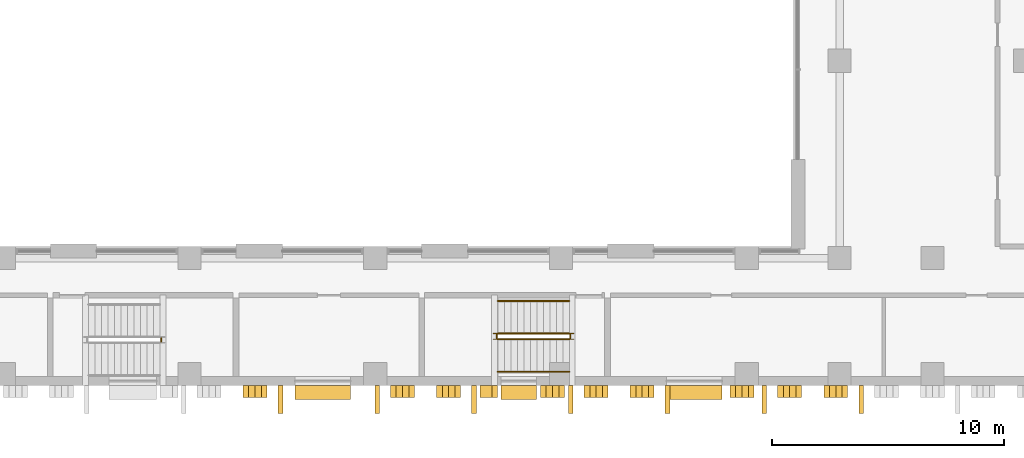
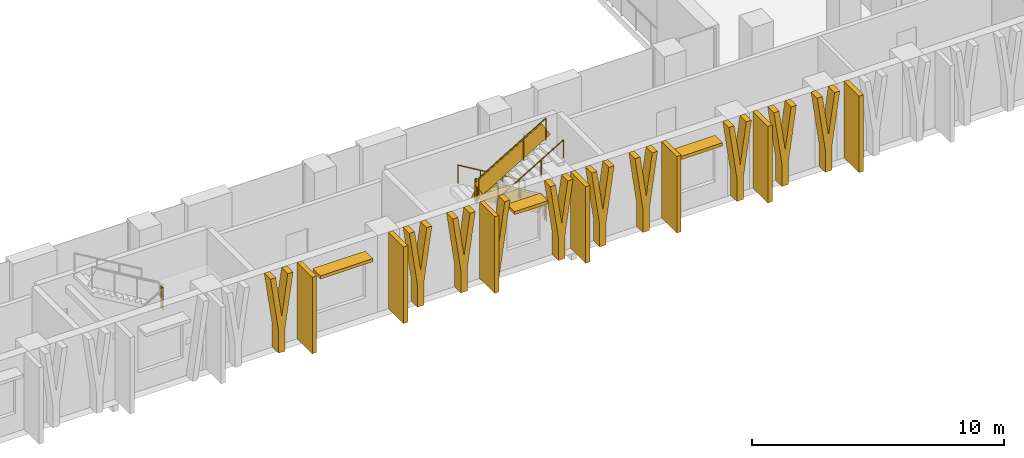
# One storey, part 19 of 24: 20 shading devices, 7 railings.
"""IFC4 building model written with IfcOpenShell, lengths in metres."""

from ifc_helpers import new_model, si_unit, direction, frame, frame_2d, origin, origin_2d, place, context, subcontext, project, spatial, polyline, rectangle, circle, outline, extrude, material, layer, layer_set, type_object, element, save


model = new_model("IFC4")

# Units and contexts
model_context = context("Model", 3, precision=1e-05, world=origin(), true_north=direction((0.0, 1.0)))
body_context = subcontext(model_context, "Body", "Model", "MODEL_VIEW")
ifc_project = project(units=[si_unit("LENGTHUNIT", "METRE"), si_unit("AREAUNIT", "SQUARE_METRE"), si_unit("VOLUMEUNIT", "CUBIC_METRE"), si_unit("PLANEANGLEUNIT", "RADIAN"), si_unit("MASSUNIT", "GRAM", prefix="KILO")], contexts=[model_context])

# Site, building, storey
site_placement = place(None, origin())
site = spatial("IfcSite", under=ifc_project, at=site_placement, CompositionType="ELEMENT")
building_placement = place(site_placement, origin())
building = spatial("IfcBuilding", under=site, at=building_placement, Name="Vidyagriha Tower", CompositionType="ELEMENT")
storey_placement = place(building_placement, frame((0.0, 0.0, 22.0)))
storey = spatial("IfcBuildingStorey", under=building, at=storey_placement, Name="L05", CompositionType="ELEMENT", Elevation=22.0)

# Shading devices
ifc_material_1 = material(Name="Precast concrete C40/50 with brick facing", Category="concrete")
ifc_layer_1 = layer(ifc_material_1, 0.14990234375)
ifc_layer_set_1 = layer_set([ifc_layer_1], Name="Precast concrete C40/50 with brick facing")
shading_device_type_1 = type_object("IfcShadingDeviceType", Name="Brick chhajja window hood", PredefinedType="AWNING", material=ifc_layer_set_1)
shading_device_1_placement = place(storey_placement, frame((-0.264892578125, -50.300048828125, 3.0)))
element("IfcShadingDevice", 1, at=shading_device_1_placement, inside=storey, type_object=shading_device_type_1, Name="Window hood L05 R06.20", PredefinedType="AWNING", context=body_context, shape_type="SweptSolid", body=[
    extrude(rectangle(XDim=2.39990234375, YDim=0.60009765625, at=origin_2d()), origin(), (0.0, 0.0, 1.0), 0.14990234375),
])
shading_device_2_placement = place(storey_placement, frame((8.175048828125, -50.300048828125, 3.0)))
element("IfcShadingDevice", 2, at=shading_device_2_placement, inside=storey, type_object=shading_device_type_1, Name="Window hood L05 R06.24", PredefinedType="AWNING", context=body_context, shape_type="SweptSolid", body=[
    extrude(rectangle(XDim=1.52001953125, YDim=0.60009765625, at=origin_2d()), origin(), (0.0, 0.0, 1.0), 0.14990234375),
])
shading_device_3_placement = place(storey_placement, frame((15.735107421875, -50.300048828125, 3.0)))
element("IfcShadingDevice", 3, at=shading_device_3_placement, inside=storey, type_object=shading_device_type_1, Name="Window hood L05 R06.28", PredefinedType="AWNING", context=body_context, shape_type="SweptSolid", body=[
    extrude(rectangle(XDim=2.39990234375, YDim=0.60009765625, at=origin_2d()), origin(), (0.0, 0.0, 1.0), 0.14990234375),
])
ifc_material_2 = material(Name="Precast concrete C40/50 with buff brick facing", Category="concrete")
ifc_layer_2 = layer(ifc_material_2, 0.300048828125)
ifc_layer_set_2 = layer_set([ifc_layer_2], Name="Precast concrete C40/50 with buff brick facing")
shading_device_type_2 = type_object("IfcShadingDeviceType", Name="Brick-faced podium blade forking 8 degrees", PredefinedType="USERDEFINED", material=ifc_layer_set_2)
for number, where, name in (
    (4, (-3.691650390625, -50.25, 0.0), "Podium blade L05 R06.3642"),
    (5, (2.660888671875, -50.25, 0.0), "Podium blade L05 R06.4278"),
    (6, (4.64501953125, -50.25, 0.0), "Podium blade L05 R06.4476"),
    (7, (9.112548828125, -50.25, 0.0), "Podium blade L05 R06.4923"),
    (8, (10.997802734375, -50.25, 0.0), "Podium blade L05 R06.5111"),
    (9, (12.98193359375, -50.25, 0.0), "Podium blade L05 R06.5310"),
    (10, (17.281005859375, -50.25, 0.0), "Podium blade L05 R06.5740"),
    (11, (19.334716796875, -50.25, 0.0), "Podium blade L05 R06.5945"),
    (12, (21.31884765625, -50.25, 0.0), "Podium blade L05 R06.6143"),
):
    element("IfcShadingDevice", number, at=place(storey_placement, frame(where)), inside=storey, type_object=shading_device_type_2, Name=name, ObjectType="BLADE FIN", PredefinedType="USERDEFINED", context=body_context, shape_type="SweptSolid", body=[
        extrude(outline(polyline([(0.665283203125, 0.0), (0.665283203125, 1.10009765625), (1.03076171875, 3.699951171875), (0.790771484375, 3.699951171875), (0.515380859375, 1.740478515625), (0.239990234375, 3.699951171875), (0.0, 3.699951171875), (0.365478515625, 1.10009765625), (0.365478515625, 0.0), (0.665283203125, 0.0)])), frame((0.0, 0.25, 0.0), z_axis=(0.0, -1.0, 0.0), x_axis=(1.0, 0.0, 0.0)), (0.0, 0.0, 1.0), 0.5),
    ])
ifc_material_3 = material(Name="Precast concrete C40/50 with buff brick facing", Category="concrete")
ifc_layer_3 = layer(ifc_material_3, 0.239990234375)
ifc_layer_set_3 = layer_set([ifc_layer_3], Name="Precast concrete C40/50 with buff brick facing")
shading_device_type_3 = type_object("IfcShadingDeviceType", Name="Brick-faced podium blade leaning 8 degrees", PredefinedType="USERDEFINED", material=ifc_layer_set_3)
shading_device_4_placement = place(storey_placement, frame((6.50390625, -50.25, 0.0)))
element("IfcShadingDevice", 13, at=shading_device_4_placement, inside=storey, type_object=shading_device_type_3, Name="Podium blade L05 R06.4648", ObjectType="BLADE FIN", PredefinedType="USERDEFINED", context=body_context, shape_type="SweptSolid", body=[
    extrude(outline(polyline([(0.0, 0.0), (0.239990234375, 0.0), (0.760009765625, 3.699951171875), (0.52001953125, 3.699951171875), (0.0, 0.0)])), frame((0.0, 0.25, 0.0), z_axis=(0.0, -1.0, 0.0), x_axis=(1.0, 0.0, 0.0)), (0.0, 0.0, 1.0), 0.5),
])
ifc_material_4 = material(Name="Precast concrete C40/50 with brick facing", Category="concrete")
ifc_layer_4 = layer(ifc_material_4, 0.199951171875)
ifc_layer_set_4 = layer_set([ifc_layer_4], Name="Precast concrete C40/50 with brick facing")
shading_device_type_4 = type_object("IfcShadingDeviceType", Name="Brick-faced solar fin 1200", PredefinedType="USERDEFINED", material=ifc_layer_set_4)
for number, where, z_axis, x_axis, name in (
    (14, (-2.084228515625, -50.0, 0.0), (0.0, 0.0, 1.0), (0.0, -1.0, 0.0), "Solar fin L05 R06.9"),
    (15, (2.084228515625, -50.0, 0.0), (0.0, 0.0, 1.0), (0.0, -1.0, 0.0), "Solar fin L05 R06.10"),
    (16, (6.252685546875, -50.0, 0.0), (0.0, 0.0, 1.0), (0.0, -1.0, 0.0), "Solar fin L05 R06.11"),
    (17, (10.421142578125, -50.0, 0.0), (0.0, 0.0, 1.0), (0.0, -1.0, 0.0), "Solar fin L05 R06.12"),
    (18, (14.589599609375, -50.0, 0.0), (0.0, 0.0, 1.0), (0.0, -1.0, 0.0), "Solar fin L05 R06.13"),
    (19, (18.7578125, -50.0, 0.0), (0.0, 0.0, 1.0), (0.0, -1.0, 0.0), "Solar fin L05 R06.14"),
    (20, (22.92626953125, -50.0, 0.0), (0.0, 0.0, 1.0), (0.0, -1.0, 0.0), "Solar fin L05 R06.15"),
):
    element("IfcShadingDevice", number, at=place(storey_placement, frame(where, z_axis=z_axis, x_axis=x_axis)), inside=storey, type_object=shading_device_type_4, Name=name, ObjectType="SOLAR FIN", PredefinedType="USERDEFINED", context=body_context, shape_type="SweptSolid", body=[
        extrude(rectangle(XDim=1.199951171875, YDim=0.199951171875, at=frame_2d((0.60009765625, 0.0))), origin(), (0.0, 0.0, 1.0), 3.699951171875),
    ])

# Railings
ifc_material_5 = material(Name="Powder coated ASTM A500 Grade C steel balustrade", Category="steel")
railing_type_1 = type_object("IfcRailingType", Name="Podium Stair Guard 1100", PredefinedType="GUARDRAIL", material=ifc_material_5)
railing_1_placement = place(storey_placement, frame((-7.22509765625, -48.10009765625, 2.0)))
element("IfcRailing", 21, at=railing_1_placement, inside=storey, type_object=railing_type_1, Name="L05 PS3 stair guard 2", PredefinedType="GUARDRAIL", context=body_context, shape_type="SweptSolid", body=[
    extrude(circle(Radius=0.02392578125, at=origin_2d()), frame((0.0, 0.0, 1.076171875), z_axis=(0.0, 1.0, 0.0), x_axis=(-1.0, 0.0, 0.0)), (0.0, 0.0, 1.0), 0.150146484375),
    extrude(circle(Radius=0.02099609375, at=origin_2d()), origin(), (0.0, 0.0, 1.0), 1.052001953125),
    extrude(circle(Radius=0.02099609375, at=origin_2d()), frame((0.0, 0.150146484375, 0.0)), (0.0, 0.0, 1.0), 1.052001953125),
    extrude(rectangle(XDim=0.010009765625, YDim=0.902099609375, at=origin_2d()), frame((0.0, 0.0, 0.551025390625), z_axis=(0.0, 1.0, 0.0), x_axis=(-1.0, 0.0, 0.0)), (0.0, 0.0, 1.0), 0.150146484375),
])
railing_2_placement = place(storey_placement, frame((10.35498046875, -47.75, 0.166748046875)))
element("IfcRailing", 22, at=railing_2_placement, inside=storey, type_object=railing_type_1, Name="L05 PS4 stair guard 1", PredefinedType="GUARDRAIL", context=body_context, shape_type="SweptSolid", body=[
    extrude(circle(Radius=0.02392578125, at=origin_2d()), frame((0.0, 0.0, 1.076171875), z_axis=(-0.859308565015, 0.0, 0.511457515432), x_axis=(0.0, -1.0, 0.0)), (0.0, 0.0, 1.0), 3.58447265625),
    extrude(circle(Radius=0.02099609375, at=origin_2d()), origin(), (0.0, 0.0, 1.0), 1.052001953125),
    extrude(circle(Radius=0.02099609375, at=origin_2d()), frame((-1.026611328125, 0.0, 0.611083984375)), (0.0, 0.0, 1.0), 1.052001953125),
    extrude(circle(Radius=0.02099609375, at=origin_2d()), frame((-2.053466796875, 0.0, 1.22216796875)), (0.0, 0.0, 1.0), 1.052001953125),
    extrude(circle(Radius=0.02099609375, at=origin_2d()), frame((-3.080078125, 0.0, 1.833251953125)), (0.0, 0.0, 1.0), 1.052001953125),
    extrude(rectangle(XDim=0.010009765625, YDim=0.775146484375, at=origin_2d()), frame((0.0, 0.0, 0.551025390625), z_axis=(-0.859308565015, 0.0, 0.511457515432), x_axis=(0.0, -1.0, 0.0)), (0.0, 0.0, 1.0), 3.58447265625),
])
railing_3_placement = place(storey_placement, frame((7.22509765625, -47.800048828125, 2.0)))
element("IfcRailing", 23, at=railing_3_placement, inside=storey, type_object=railing_type_1, Name="L05 PS4 stair guard 2", PredefinedType="GUARDRAIL", context=body_context, shape_type="SweptSolid", body=[
    extrude(circle(Radius=0.02392578125, at=origin_2d()), frame((0.0, 0.0, 1.076171875), z_axis=(0.0, -1.0, 0.0), x_axis=(1.0, 0.0, 0.0)), (0.0, 0.0, 1.0), 0.14990234375),
    extrude(circle(Radius=0.02099609375, at=origin_2d()), origin(), (0.0, 0.0, 1.0), 1.052001953125),
    extrude(circle(Radius=0.02099609375, at=origin_2d()), frame((0.0, -0.14990234375, 0.0)), (0.0, 0.0, 1.0), 1.052001953125),
    extrude(rectangle(XDim=0.010009765625, YDim=0.902099609375, at=origin_2d()), frame((0.0, 0.0, 0.551025390625), z_axis=(0.0, -1.0, 0.0), x_axis=(1.0, 0.0, 0.0)), (0.0, 0.0, 1.0), 0.14990234375),
])
railing_4_placement = place(storey_placement, frame((7.27490234375, -48.0, 2.166748046875)))
element("IfcRailing", 24, at=railing_4_placement, inside=storey, type_object=railing_type_1, Name="L05 PS4 stair guard 3", PredefinedType="GUARDRAIL", context=body_context, shape_type="SweptSolid", body=[
    extrude(circle(Radius=0.02392578125, at=origin_2d()), frame((0.0, 0.0, 1.076171875), z_axis=(0.859308565015, 0.0, 0.511457515432), x_axis=(0.0, 1.0, 0.0)), (0.0, 0.0, 1.0), 3.58447265625),
    extrude(circle(Radius=0.02099609375, at=origin_2d()), origin(), (0.0, 0.0, 1.0), 1.052001953125),
    extrude(circle(Radius=0.02099609375, at=origin_2d()), frame((1.026611328125, 0.0, 0.611083984375)), (0.0, 0.0, 1.0), 1.052001953125),
    extrude(circle(Radius=0.02099609375, at=origin_2d()), frame((2.053466796875, 0.0, 1.22216796875)), (0.0, 0.0, 1.0), 1.052001953125),
    extrude(circle(Radius=0.02099609375, at=origin_2d()), frame((3.080078125, 0.0, 1.833251953125)), (0.0, 0.0, 1.0), 1.052001953125),
    extrude(rectangle(XDim=0.010009765625, YDim=0.775146484375, at=origin_2d()), frame((0.0, 0.0, 0.551025390625), z_axis=(0.859308565015, 0.0, 0.511457515432), x_axis=(0.0, 1.0, 0.0)), (0.0, 0.0, 1.0), 3.58447265625),
])
railing_5_placement = place(storey_placement, frame((10.405029296875, -47.800048828125, 0.0)))
element("IfcRailing", 25, at=railing_5_placement, inside=storey, type_object=railing_type_1, Name="L05 PS4 stair guard 4", PredefinedType="GUARDRAIL", context=body_context, shape_type="SweptSolid", body=[
    extrude(circle(Radius=0.02392578125, at=origin_2d()), frame((0.0, 0.0, 1.076171875), z_axis=(0.0, -1.0, 0.0), x_axis=(1.0, 0.0, 0.0)), (0.0, 0.0, 1.0), 0.14990234375),
    extrude(circle(Radius=0.02099609375, at=origin_2d()), origin(), (0.0, 0.0, 1.0), 1.052001953125),
    extrude(circle(Radius=0.02099609375, at=origin_2d()), frame((0.0, -0.14990234375, 0.0)), (0.0, 0.0, 1.0), 1.052001953125),
    extrude(rectangle(XDim=0.010009765625, YDim=0.902099609375, at=origin_2d()), frame((0.0, 0.0, 0.551025390625), z_axis=(0.0, -1.0, 0.0), x_axis=(1.0, 0.0, 0.0)), (0.0, 0.0, 1.0), 0.14990234375),
])
ifc_material_6 = material(Name="Powder coated ASTM A500 Grade C steel handrail", Category="steel")
railing_type_2 = type_object("IfcRailingType", Name="Podium Stair Handrail 900", PredefinedType="HANDRAIL", material=ifc_material_6)
railing_6_placement = place(storey_placement, frame((10.35498046875, -46.35009765625, 0.166748046875)))
element("IfcRailing", 26, at=railing_6_placement, inside=storey, type_object=railing_type_2, Name="L05 PS4 stair handrail 1", PredefinedType="HANDRAIL", context=body_context, shape_type="SweptSolid", body=[
    extrude(circle(Radius=0.02392578125, at=origin_2d()), frame((0.0, 0.0, 0.8759765625), z_axis=(-0.859308565015, 0.0, 0.511457515432), x_axis=(0.0, -1.0, 0.0)), (0.0, 0.0, 1.0), 3.58447265625),
    extrude(circle(Radius=0.02099609375, at=origin_2d()), origin(), (0.0, 0.0, 1.0), 0.851806640625),
    extrude(circle(Radius=0.02099609375, at=origin_2d()), frame((-1.026611328125, 0.0, 0.611083984375)), (0.0, 0.0, 1.0), 0.851806640625),
    extrude(circle(Radius=0.02099609375, at=origin_2d()), frame((-2.053466796875, 0.0, 1.22216796875)), (0.0, 0.0, 1.0), 0.851806640625),
    extrude(circle(Radius=0.02099609375, at=origin_2d()), frame((-3.080078125, 0.0, 1.833251953125)), (0.0, 0.0, 1.0), 0.851806640625),
])
railing_7_placement = place(storey_placement, frame((7.27490234375, -49.39990234375, 2.166748046875)))
element("IfcRailing", 27, at=railing_7_placement, inside=storey, type_object=railing_type_2, Name="L05 PS4 stair handrail 2", PredefinedType="HANDRAIL", context=body_context, shape_type="SweptSolid", body=[
    extrude(circle(Radius=0.02392578125, at=origin_2d()), frame((0.0, 0.0, 0.8759765625), z_axis=(0.859308565015, 0.0, 0.511457515432), x_axis=(0.0, 1.0, 0.0)), (0.0, 0.0, 1.0), 3.58447265625),
    extrude(circle(Radius=0.02099609375, at=origin_2d()), origin(), (0.0, 0.0, 1.0), 0.851806640625),
    extrude(circle(Radius=0.02099609375, at=origin_2d()), frame((1.026611328125, 0.0, 0.611083984375)), (0.0, 0.0, 1.0), 0.851806640625),
    extrude(circle(Radius=0.02099609375, at=origin_2d()), frame((2.053466796875, 0.0, 1.22216796875)), (0.0, 0.0, 1.0), 0.851806640625),
    extrude(circle(Radius=0.02099609375, at=origin_2d()), frame((3.080078125, 0.0, 1.833251953125)), (0.0, 0.0, 1.0), 0.851806640625),
])

save(model, "model.ifc")
